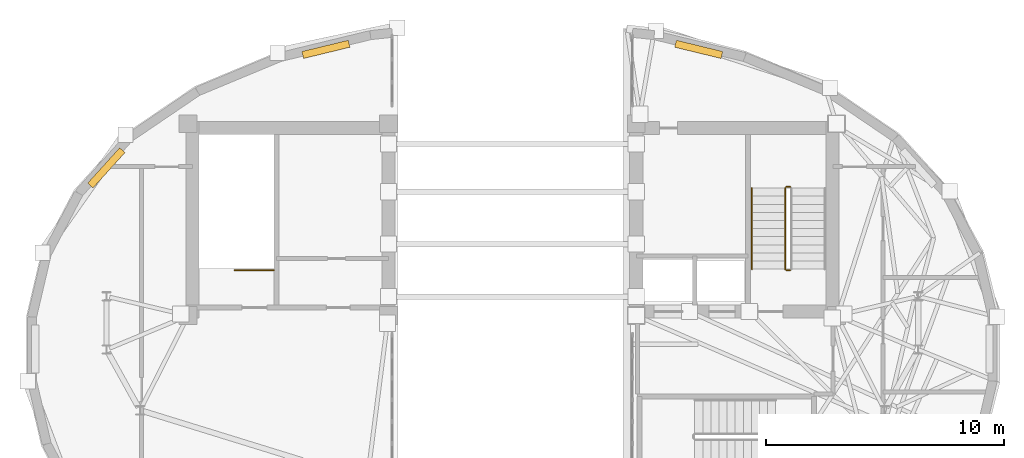
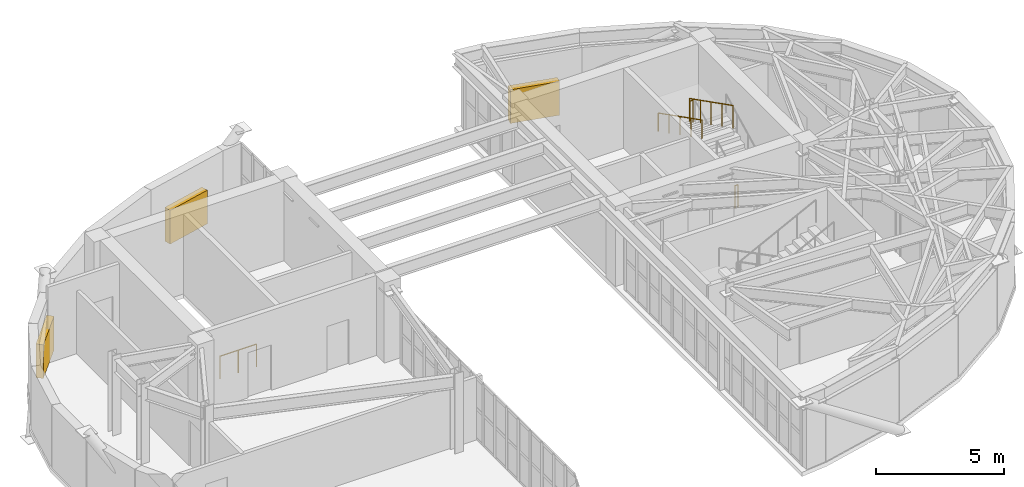
# One storey, part 12 of 13: 5 railings, 3 shading devices.
"""IFC4 building model written with IfcOpenShell, lengths in metres."""

from ifc_helpers import new_model, si_unit, direction, frame, origin, origin_2d, place, context, subcontext, project, spatial, rectangle, circle, extrude, material, type_object, element, save


model = new_model("IFC4")

# Units and contexts
model_context = context("Model", 3, precision=1e-05, world=origin(), true_north=direction((0.0, 1.0)))
body_context = subcontext(model_context, "Body", "Model", "MODEL_VIEW")
ifc_project = project(units=[si_unit("LENGTHUNIT", "METRE"), si_unit("AREAUNIT", "SQUARE_METRE"), si_unit("VOLUMEUNIT", "CUBIC_METRE"), si_unit("PLANEANGLEUNIT", "RADIAN"), si_unit("MASSUNIT", "GRAM", prefix="KILO")], contexts=[model_context])

# Site, building, storey
site_placement = place(None, origin())
site = spatial("IfcSite", under=ifc_project, at=site_placement, CompositionType="ELEMENT")
building_placement = place(site_placement, origin())
building = spatial("IfcBuilding", under=site, at=building_placement, Name="Keldmark Tower", CompositionType="ELEMENT")
storey_placement = place(building_placement, frame((0.0, 0.0, 280.60009765625)))
storey = spatial("IfcBuildingStorey", under=building, at=storey_placement, Name="L79", CompositionType="ELEMENT", Elevation=280.60009765625)

# Shading devices
ifc_material_1 = material(Name="Fluoropolymer-Coated Extruded Aluminum Stormproof Blades", Category="aluminium")
shading_device_type = type_object("IfcShadingDeviceType", Name="Mechanical Floor Acoustic Intake Louvre", PredefinedType="JALOUSIE", material=ifc_material_1)
for number, where, z_axis, x_axis, name in (
    (1, (7.820556640625, 12.569580078125, -0.000244140625), (0.0, 0.0, 1.0), (-0.971821293316, 0.235718844936, 0.0), "L79 Crown Screen Acoustic Louvre E01"),
    (2, (-17.0322265625, 7.599365234375, -0.000244140625), (0.0, 0.0, 1.0), (-0.671151494219, -0.741320222176, 0.0), "L79 Crown Screen Acoustic Louvre W10"),
    (3, (-7.820556640625, 12.569580078125, -0.000244140625), (0.0, 0.0, 1.0), (-0.971821293316, -0.235718844936, 0.0), "L79 Crown Screen Acoustic Louvre W13"),
):
    element("IfcShadingDevice", number, at=place(storey_placement, frame(where, z_axis=z_axis, x_axis=x_axis)), inside=storey, type_object=shading_device_type, Name=name, PredefinedType="JALOUSIE", context=body_context, shape_type="SweptSolid", body=[
        extrude(rectangle(XDim=2.0, YDim=0.300048828125, at=origin_2d()), origin(), (0.0, 0.0, 1.0), 1.60009765625),
    ])

# Railings
ifc_material_2 = material(Name="Painted Steel ASTM A500 Grade B", Category="steel")
railing_type_1 = type_object("IfcRailingType", Name="Painted Steel Stair Well Guard 1100 mm", PredefinedType="GUARDRAIL", material=ifc_material_2)
railing_1_placement = place(storey_placement, frame((-10.0, 3.300048828125, 0.0)))
element("IfcRailing", 4, at=railing_1_placement, inside=storey, type_object=railing_type_1, Name="L79 ST1 top well guard 1", PredefinedType="GUARDRAIL", context=body_context, shape_type="SweptSolid", body=[
    extrude(circle(Radius=0.02392578125, at=origin_2d()), frame((0.0, 0.0, 1.076171875), z_axis=(-1.0, 0.0, 0.0), x_axis=(0.0, -1.0, 0.0)), (0.0, 0.0, 1.0), 1.64990234375),
    extrude(circle(Radius=0.02099609375, at=origin_2d()), origin(), (0.0, 0.0, 1.0), 1.052001953125),
    extrude(circle(Radius=0.02099609375, at=origin_2d()), frame((-0.824951171875, 0.0, 0.0)), (0.0, 0.0, 1.0), 1.052001953125),
    extrude(circle(Radius=0.02099609375, at=origin_2d()), frame((-1.64990234375, 0.0, 0.0)), (0.0, 0.0, 1.0), 1.052001953125),
])
railing_2_placement = place(storey_placement, frame((11.64990234375, 6.800048828125, 1.89990234375)))
element("IfcRailing", 5, at=railing_2_placement, inside=storey, type_object=railing_type_1, Name="L79 ST2 stair guard 2", PredefinedType="GUARDRAIL", context=body_context, shape_type="SweptSolid", body=[
    extrude(circle(Radius=0.02392578125, at=origin_2d()), frame((0.0, 0.0, 1.076171875), z_axis=(-1.0, 0.0, 0.0), x_axis=(0.0, -1.0, 0.0)), (0.0, 0.0, 1.0), 0.14990234375),
    extrude(circle(Radius=0.02099609375, at=origin_2d()), origin(), (0.0, 0.0, 1.0), 1.052001953125),
    extrude(circle(Radius=0.02099609375, at=origin_2d()), frame((-0.14990234375, 0.0, 0.0)), (0.0, 0.0, 1.0), 1.052001953125),
])
railing_3_placement = place(storey_placement, frame((11.449951171875, 6.75, 2.072509765625)))
element("IfcRailing", 6, at=railing_3_placement, inside=storey, type_object=railing_type_1, Name="L79 ST2 stair guard 3", PredefinedType="GUARDRAIL", context=body_context, shape_type="SweptSolid", body=[
    extrude(circle(Radius=0.02392578125, at=origin_2d()), frame((0.0, 0.0, 1.076171875), z_axis=(0.0, -0.89154070688, 0.452940578858), x_axis=(1.0, 0.0, 0.0)), (0.0, 0.0, 1.0), 3.8134765625),
    extrude(circle(Radius=0.02099609375, at=origin_2d()), origin(), (0.0, 0.0, 1.0), 1.052001953125),
    extrude(circle(Radius=0.02099609375, at=origin_2d()), frame((0.0, -0.85009765625, 0.431884765625)), (0.0, 0.0, 1.0), 1.052001953125),
    extrude(circle(Radius=0.02099609375, at=origin_2d()), frame((0.0, -1.699951171875, 0.86376953125)), (0.0, 0.0, 1.0), 1.052001953125),
    extrude(circle(Radius=0.02099609375, at=origin_2d()), frame((0.0, -2.5498046875, 1.29541015625)), (0.0, 0.0, 1.0), 1.052001953125),
    extrude(circle(Radius=0.02099609375, at=origin_2d()), frame((0.0, -3.39990234375, 1.727294921875)), (0.0, 0.0, 1.0), 1.052001953125),
])
railing_4_placement = place(storey_placement, frame((11.64990234375, 3.300048828125, 0.0)))
element("IfcRailing", 7, at=railing_4_placement, inside=storey, type_object=railing_type_1, Name="L79 ST2 stair guard 4", PredefinedType="GUARDRAIL", context=body_context, shape_type="SweptSolid", body=[
    extrude(circle(Radius=0.02392578125, at=origin_2d()), frame((0.0, 0.0, 1.076171875), z_axis=(-1.0, 0.0, 0.0), x_axis=(0.0, -1.0, 0.0)), (0.0, 0.0, 1.0), 0.14990234375),
    extrude(circle(Radius=0.02099609375, at=origin_2d()), origin(), (0.0, 0.0, 1.0), 1.052001953125),
    extrude(circle(Radius=0.02099609375, at=origin_2d()), frame((-0.14990234375, 0.0, 0.0)), (0.0, 0.0, 1.0), 1.052001953125),
])
ifc_material_3 = material(Name="Stainless Steel AISI 316L", Category="steel")
railing_type_2 = type_object("IfcRailingType", Name="Stainless Steel Stair Handrail 900 mm", PredefinedType="HANDRAIL", material=ifc_material_3)
railing_5_placement = place(storey_placement, frame((10.050048828125, 6.75, 2.072509765625)))
element("IfcRailing", 8, at=railing_5_placement, inside=storey, type_object=railing_type_2, Name="L79 ST2 stair handrail 2", PredefinedType="HANDRAIL", context=body_context, shape_type="SweptSolid", body=[
    extrude(circle(Radius=0.02392578125, at=origin_2d()), frame((0.0, 0.0, 0.8759765625), z_axis=(0.0, -0.89154070688, 0.452940578858), x_axis=(1.0, 0.0, 0.0)), (0.0, 0.0, 1.0), 3.8134765625),
    extrude(circle(Radius=0.02099609375, at=origin_2d()), origin(), (0.0, 0.0, 1.0), 0.851806640625),
    extrude(circle(Radius=0.02099609375, at=origin_2d()), frame((0.0, -0.85009765625, 0.431884765625)), (0.0, 0.0, 1.0), 0.851806640625),
    extrude(circle(Radius=0.02099609375, at=origin_2d()), frame((0.0, -1.699951171875, 0.86376953125)), (0.0, 0.0, 1.0), 0.851806640625),
    extrude(circle(Radius=0.02099609375, at=origin_2d()), frame((0.0, -2.5498046875, 1.29541015625)), (0.0, 0.0, 1.0), 0.851806640625),
    extrude(circle(Radius=0.02099609375, at=origin_2d()), frame((0.0, -3.39990234375, 1.727294921875)), (0.0, 0.0, 1.0), 0.851806640625),
])

save(model, "model.ifc")
